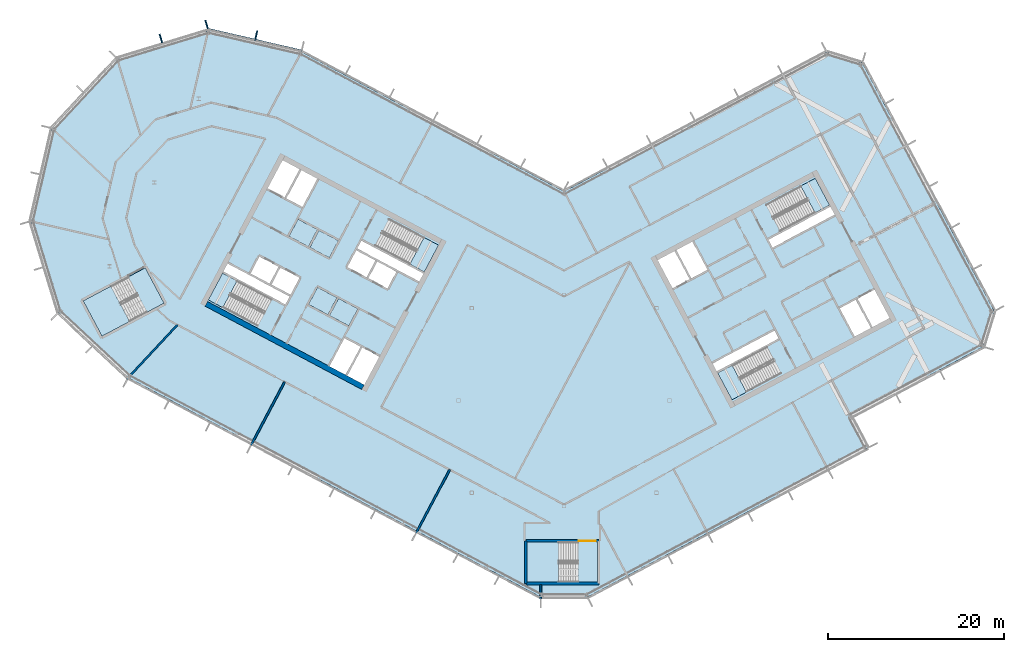
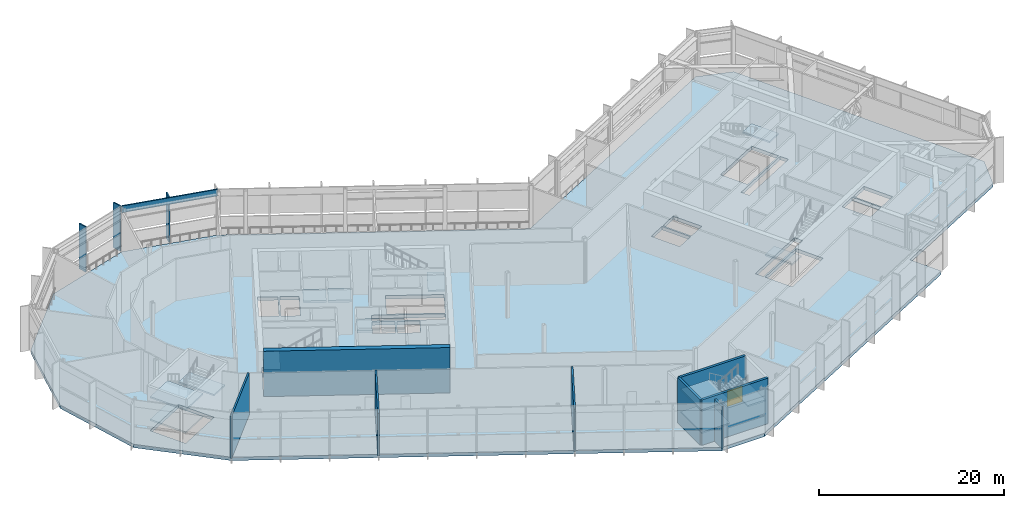
# One storey, part 13 of 33: 15 slabs, 8 walls, 4 members, 1 door, 1 opening, 8 elements without a shape of their own.
"""IFC4 building model written with IfcOpenShell, lengths in metres."""

import ifcopenshell
import ifcopenshell.guid

model = None  # the IFC model being written
_history = None  # IfcOwnerHistory: only IFC2X3 demands one
_inside = {}  # id of a spatial element -> (the spatial element, [elements in it])
_under = {}  # id of a project, library or spatial element -> (it, [spatial elements below it])
_declared = {}  # id of a project -> (the project, [libraries it declares])
_typed = {}  # id of a type object -> (the type object, [elements of that type])
_made_of = {}  # id of a material, layer set ... -> (it, [elements and type objects made of it])


def new_model(schema):
    """Start an empty IFC model of exactly this schema.

    Asked for "IFC4X3", IfcOpenShell would pick the latest addendum, in which some entities
    have other attributes; the version numbers below select the first issue.
    IFC2X3 requires an IfcOwnerHistory on every rooted entity: one is made here for all.
    """
    global model, _history
    if schema == "IFC4X3":
        model = ifcopenshell.file(schema_version=(4, 3, 0, 0))
    else:
        model = ifcopenshell.file(schema=schema)
    _inside.clear()
    _under.clear()
    _declared.clear()
    _typed.clear()
    _made_of.clear()
    _history = None
    if model.schema == "IFC2X3":
        org = make("IfcOrganization", Name="unknown")
        user = make(
            "IfcPersonAndOrganization",
            ThePerson=make("IfcPerson", FamilyName="unknown"),
            TheOrganization=org,
        )
        app = make(
            "IfcApplication",
            ApplicationDeveloper=org,
            Version="unknown",
            ApplicationFullName="unknown",
            ApplicationIdentifier="unknown",
        )
        _history = make(
            "IfcOwnerHistory",
            OwningUser=user,
            OwningApplication=app,
            ChangeAction="ADDED",
            CreationDate=0,
        )
    return model


def make(cls, **values):
    """One entity of the class cls with the attributes given. An attribute that is None is left unset."""
    return model.create_entity(
        cls, **{name: value for name, value in values.items() if value is not None}
    )


def rooted(cls, **values):
    """An entity with a GlobalId (a new one), such as an element, a storey or a relation."""
    return make(cls, GlobalId=ifcopenshell.guid.new(), OwnerHistory=_history, **values)


def si_unit(unit_type, name, prefix=None):
    """IfcSIUnit, for example si_unit("LENGTHUNIT", "METRE", prefix="MILLI")."""
    return make("IfcSIUnit", UnitType=unit_type, Prefix=prefix, Name=name)


def assignment(units):
    """IfcUnitAssignment: the units of a project."""
    return None if units is None else make("IfcUnitAssignment", Units=units)


def point(xyz):
    """IfcCartesianPoint."""
    return None if xyz is None else make("IfcCartesianPoint", Coordinates=xyz)


def direction(xyz):
    """IfcDirection."""
    return None if xyz is None else make("IfcDirection", DirectionRatios=xyz)


def frame(location, z_axis=None, x_axis=None):
    """IfcAxis2Placement3D, a coordinate frame: its origin and axes. An axis left out is left unset."""
    return make(
        "IfcAxis2Placement3D",
        Location=point(location),
        Axis=direction(z_axis),
        RefDirection=direction(x_axis),
    )


def frame_2d(location, x_axis=None):
    """IfcAxis2Placement2D, a coordinate frame in the plane: its origin and x axis."""
    return make(
        "IfcAxis2Placement2D", Location=point(location), RefDirection=direction(x_axis)
    )


def origin():
    """The frame at (0, 0, 0) with its axes left unset."""
    return frame((0.0, 0.0, 0.0))


def origin_2d():
    """The frame at (0, 0) in the plane with its x axis left unset."""
    return frame_2d((0.0, 0.0))


def place(relative_to, where):
    """IfcLocalPlacement: puts the frame where relative to a parent placement (None: the world)."""
    return make(
        "IfcLocalPlacement", PlacementRelTo=relative_to, RelativePlacement=where
    )


def context(
    kind, dimensions, precision=None, world=None, true_north=None, identifier=None
):
    """IfcGeometricRepresentationContext, for example the 3D "Model" context."""
    return make(
        "IfcGeometricRepresentationContext",
        ContextIdentifier=identifier,
        ContextType=kind,
        CoordinateSpaceDimension=dimensions,
        Precision=precision,
        WorldCoordinateSystem=world,
        TrueNorth=true_north,
    )


def subcontext(parent, identifier, kind, view, scale=None):
    """IfcGeometricRepresentationSubContext, for example "Body" below "Model"."""
    return make(
        "IfcGeometricRepresentationSubContext",
        ContextIdentifier=identifier,
        ContextType=kind,
        ParentContext=parent,
        TargetScale=scale,
        TargetView=view,
    )


def project(units=None, contexts=None):
    """IfcProject with its units and contexts."""
    return rooted(
        "IfcProject",
        Name="project",
        RepresentationContexts=contexts,
        UnitsInContext=assignment(units),
    )


def spatial(cls, under=None, at=None, **own):
    """A site, building, storey or space (cls), placed at a placement, below another one or the project."""
    s = rooted(cls, ObjectPlacement=at, **own)
    if under is not None:
        _under.setdefault(under.id(), (under, []))[1].append(s)
    return s


def polyline(points):
    """IfcPolyline through the points."""
    return make("IfcPolyline", Points=[point(p) for p in points])


def profile(cls, at=None, kind="AREA", **sizes):
    """A parametric profile (cls). Its sizes go by their IFC names, for example OverallWidth=200.0."""
    return make(cls, ProfileType=kind, Position=at, **sizes)


def rectangle(**sizes):
    """IfcRectangleProfileDef."""
    return profile("IfcRectangleProfileDef", **sizes)


def outline(outer, holes=None, kind="AREA"):
    """IfcArbitraryClosedProfileDef: a profile drawn as a closed curve; with holes, ...WithVoids."""
    if holes is None:
        return make("IfcArbitraryClosedProfileDef", ProfileType=kind, OuterCurve=outer)
    return make(
        "IfcArbitraryProfileDefWithVoids",
        ProfileType=kind,
        OuterCurve=outer,
        InnerCurves=holes,
    )


def extrude(swept, where, along, depth):
    """IfcExtrudedAreaSolid: the profile swept, set in the frame where, extruded along a direction by depth."""
    return make(
        "IfcExtrudedAreaSolid",
        SweptArea=swept,
        Position=where,
        ExtrudedDirection=direction(along),
        Depth=depth,
    )


def shape(context_of_items, identifier, shape_type, items):
    """IfcShapeRepresentation: the items that make up one representation, for example the "Body"."""
    return make(
        "IfcShapeRepresentation",
        ContextOfItems=context_of_items,
        RepresentationIdentifier=identifier,
        RepresentationType=shape_type,
        Items=items,
    )


def material(Name=None, Category=None):
    """IfcMaterial."""
    return make("IfcMaterial", Name=Name, Category=Category)


def layer(
    of_material, thickness, ventilated=None, Name=None, Category=None, Priority=None
):
    """IfcMaterialLayer: one layer of a wall or slab, of a material (None: an air gap)."""
    return make(
        "IfcMaterialLayer",
        Material=of_material,
        LayerThickness=thickness,
        IsVentilated=ventilated,
        Name=Name,
        Category=Category,
        Priority=Priority,
    )


def layer_set(layers, Name=None):
    """IfcMaterialLayerSet."""
    return make("IfcMaterialLayerSet", MaterialLayers=layers, LayerSetName=Name)


def material_profile(
    of_material, cross_section, Name=None, Category=None, Priority=None
):
    """IfcMaterialProfile: a cross section and its material."""
    return make(
        "IfcMaterialProfile",
        Name=Name,
        Material=of_material,
        Profile=cross_section,
        Priority=Priority,
        Category=Category,
    )


def profile_set(profiles, Name=None, composite=None):
    """IfcMaterialProfileSet."""
    return make(
        "IfcMaterialProfileSet",
        Name=Name,
        MaterialProfiles=profiles,
        CompositeProfile=composite,
    )


def made_of(thing, what):
    """Note that an element or type object is made of a material, layer set ...; save() writes the relation."""
    if what is not None:
        _made_of.setdefault(what.id(), (what, []))[1].append(thing)
    return thing


def type_object(cls, material=None, **own):
    """A type object (cls), such as IfcWallType, which elements share."""
    return made_of(rooted(cls, **own), material)


def element(
    cls,
    number,
    at=None,
    inside=None,
    cuts=None,
    type_object=None,
    material=None,
    context=None,
    identifier="Body",
    shape_type=None,
    held_by="IfcProductDefinitionShape",
    body=None,
    shapes=None,
    **own,
):
    """One element of the class cls, such as IfcWall. Its Tag is "e" and its number.

    at: its placement. inside: the storey or other place that contains it. cuts: it is an
    opening in that element (IfcRelVoidsElement). A single representation is given by context,
    identifier, shape_type and body (its items); several are given by shapes. held_by: the class
    of the entity that holds the representations. save() writes the other relations.
    """
    e = rooted(cls, Tag="e%d" % number, ObjectPlacement=at, **own)
    if body is not None:
        shapes = [shape(context, identifier, shape_type, body)]
    if shapes is not None:
        e.Representation = make(held_by, Representations=shapes)
    if inside is not None:
        _inside.setdefault(inside.id(), (inside, []))[1].append(e)
    if cuts is not None:
        rooted(
            "IfcRelVoidsElement", RelatingBuildingElement=cuts, RelatedOpeningElement=e
        )
    if type_object is not None:
        _typed.setdefault(type_object.id(), (type_object, []))[1].append(e)
    return made_of(e, material)


def fill(opening, filler):
    """IfcRelFillsElement: the door or window that sits in an opening."""
    return rooted(
        "IfcRelFillsElement",
        RelatingOpeningElement=opening,
        RelatedBuildingElement=filler,
    )


def aggregate(whole, parts):
    """IfcRelAggregates: a whole, such as a stair, and the parts it consists of."""
    return rooted("IfcRelAggregates", RelatingObject=whole, RelatedObjects=parts)


def save(model, path):
    """Write the relations noted so far, then the file.

    IfcRelAggregates (storeys below a building ...), IfcRelContainedInSpatialStructure (elements
    in a storey), IfcRelDefinesByType, IfcRelAssociatesMaterial and IfcRelDeclares: one each for
    every whole, place, type object, material and project.
    """
    for whole, parts in _under.values():
        aggregate(whole, parts)
    for where, things in _inside.values():
        rooted(
            "IfcRelContainedInSpatialStructure",
            RelatedElements=things,
            RelatingStructure=where,
        )
    for kind, things in _typed.values():
        rooted("IfcRelDefinesByType", RelatedObjects=things, RelatingType=kind)
    for what, things in _made_of.values():
        rooted("IfcRelAssociatesMaterial", RelatedObjects=things, RelatingMaterial=what)
    for by, libraries in _declared.values():
        rooted("IfcRelDeclares", RelatingContext=by, RelatedDefinitions=libraries)
    model.write(path)


model = new_model("IFC4")

# Units and contexts
model_context = context("Model", 3, precision=1e-05, world=origin(), true_north=direction((0.0, 1.0)))
body_context = subcontext(model_context, "Body", "Model", "MODEL_VIEW")
ifc_project = project(units=[si_unit("LENGTHUNIT", "METRE"), si_unit("AREAUNIT", "SQUARE_METRE"), si_unit("VOLUMEUNIT", "CUBIC_METRE"), si_unit("PLANEANGLEUNIT", "RADIAN"), si_unit("MASSUNIT", "GRAM", prefix="KILO")], contexts=[model_context])

# Site, building, storey
site_placement = place(None, origin())
site = spatial("IfcSite", under=ifc_project, at=site_placement, CompositionType="ELEMENT")
building_placement = place(site_placement, origin())
building = spatial("IfcBuilding", under=site, at=building_placement, Name="Cormorant Relay Tower", CompositionType="ELEMENT")
storey_placement = place(building_placement, frame((0.0, 0.0, 252.0)))
storey = spatial("IfcBuildingStorey", under=building, at=storey_placement, Name="L56", CompositionType="ELEMENT", Elevation=252.0)

# Curtain wall, member
ifc_material_1 = material(Name="Aluminium 6063-T6 anodised bronze", Category="aluminium")
ifc_layer_1 = layer(ifc_material_1, 0.199951171875)
ifc_layer_set_1 = layer_set([ifc_layer_1], Name="CW4 band louvre wall")
curtain_wall_type = type_object("IfcCurtainWallType", Name="CW4 band louvre wall", PredefinedType="NOTDEFINED", material=ifc_layer_set_1)
curtain_wall_1_placement = place(storey_placement, origin())
curtain_wall_1 = element("IfcCurtainWall", 1, at=curtain_wall_1_placement, inside=storey, type_object=curtain_wall_type, Name="CW4 curtain wall 10", PredefinedType="NOTDEFINED")
ifc_material_2 = material(Name="Aluminium 6063-T6 anodised bronze", Category="aluminium")
ifc_material_profile_1 = material_profile(ifc_material_2, rectangle(XDim=0.14990234375, YDim=1.0, at=origin_2d()), Name="AL 150x1000")
ifc_profile_set_1 = profile_set([ifc_material_profile_1], Name="Aluminium 6063-T6 anodised bronze")
member_type_1 = type_object("IfcMemberType", Name="CW4 bronze fin mullion 150 x 1000", PredefinedType="MULLION", material=ifc_profile_set_1)
member_1_placement = place(storey_placement, frame((-35.01220703125, 41.57275390625, 0.0), z_axis=(0.0, 0.0, 1.0), x_axis=(-0.974370064785, 0.224951054344, 0.0)))
member_1 = element("IfcMember", 2, at=member_1_placement, type_object=member_type_1, Name="CW4 fin 10.2", PredefinedType="MULLION", context=body_context, shape_type="SweptSolid", body=[
    extrude(rectangle(XDim=0.14990234375, YDim=1.0, at=origin_2d()), origin(), (0.0, 0.0, 1.0), 6.0),
])

# Curtain wall, members
curtain_wall_2_placement = place(storey_placement, origin())
curtain_wall_2 = element("IfcCurtainWall", 3, at=curtain_wall_2_placement, inside=storey, type_object=curtain_wall_type, Name="CW4 curtain wall 11", PredefinedType="NOTDEFINED")
member_2_placement = place(storey_placement, frame((-40.670166015625, 42.78271484375, 0.0), z_axis=(0.0, 0.0, 1.0), x_axis=(-0.956304755963, -0.292371704723, 0.0)))
member_2 = element("IfcMember", 4, at=member_2_placement, type_object=member_type_1, Name="CW4 fin 11.1", PredefinedType="MULLION", context=body_context, shape_type="SweptSolid", body=[
    extrude(rectangle(XDim=0.14990234375, YDim=1.0, at=origin_2d()), origin(), (0.0, 0.0, 1.0), 6.0),
])
member_3_placement = place(storey_placement, frame((-45.867919921875, 41.193603515625, 0.0), z_axis=(0.0, 0.0, 1.0), x_axis=(-0.956304755963, -0.292371704723, 0.0)))
member_3 = element("IfcMember", 5, at=member_3_placement, type_object=member_type_1, Name="CW4 fin 11.2", PredefinedType="MULLION", context=body_context, shape_type="SweptSolid", body=[
    extrude(rectangle(XDim=0.14990234375, YDim=1.0, at=origin_2d()), origin(), (0.0, 0.0, 1.0), 6.0),
])
aggregate(curtain_wall_2, [member_2, member_3])

# Member
ifc_material_3 = material(Name="Aluminium 6063-T6 anodised bronze", Category="aluminium")
ifc_material_profile_2 = material_profile(ifc_material_3, rectangle(XDim=0.159912109375, YDim=0.89990234375, at=origin_2d()), Name="AL 160x900")
ifc_profile_set_2 = profile_set([ifc_material_profile_2], Name="Aluminium 6063-T6 anodised bronze")
member_type_2 = type_object("IfcMemberType", Name="CW4 bronze transom 160 x 900", PredefinedType="USERDEFINED", material=ifc_profile_set_2)
member_4_placement = place(storey_placement, frame((-29.8466796875, 39.784912109375, 5.550048828125), z_axis=(-0.974365070969, 0.224972683844, 0.0), x_axis=(-0.224972683844, -0.974365070969, 0.0)))
member_4 = element("IfcMember", 6, at=member_4_placement, type_object=member_type_2, Name="CW4 transom 10", ObjectType="TRANSOM", PredefinedType="USERDEFINED", context=body_context, shape_type="SweptSolid", body=[
    extrude(rectangle(XDim=0.159912109375, YDim=0.89990234375, at=origin_2d()), origin(), (0.0, 0.0, 1.0), 10.870361328125),
])

aggregate(curtain_wall_1, [member_1, member_4])

# Stair, slab
ifc_material_4 = material(Name="Concrete 40 MPa", Category="concrete")
stair_type_1 = type_object("IfcStairType", Name="Exit stair 1500", PredefinedType="HALF_TURN_STAIR", material=ifc_material_4)
stair_1_placement = place(storey_placement, origin())
stair_1 = element("IfcStair", 7, at=stair_1_placement, inside=storey, type_object=stair_type_1, Name="L56 Stair", PredefinedType="HALF_TURN_STAIR")
ifc_material_5 = material(Name="Concrete 40 MPa", Category="concrete")
ifc_layer_2 = layer(ifc_material_5, 0.199951171875)
ifc_layer_set_2 = layer_set([ifc_layer_2], Name="Exit stair landing 200")
slab_type_1 = type_object("IfcSlabType", Name="Exit stair landing 200", PredefinedType="LANDING", material=ifc_layer_set_2)
slab_1_placement = place(storey_placement, frame((0.0, 0.0, 2.800048828125)))
slab_1 = element("IfcSlab", 8, at=slab_1_placement, type_object=slab_type_1, Name="A1 landing 1", PredefinedType="LANDING", context=body_context, shape_type="SweptSolid", body=[
    extrude(outline(polyline([(-17.546142578125, 15.501953125), (-15.89501953125, 14.6240234375), (-14.275390625, 17.670166015625), (-15.926513671875, 18.548095703125), (-17.546142578125, 15.501953125)])), origin(), (0.0, 0.0, 1.0), 0.199951171875),
])
aggregate(stair_1, [slab_1])

stair_2_placement = place(storey_placement, origin())
stair_2 = element("IfcStair", 9, at=stair_2_placement, inside=storey, type_object=stair_type_1, Name="L56 Stair", PredefinedType="HALF_TURN_STAIR")
slab_2_placement = place(storey_placement, frame((0.0, 0.0, 2.800048828125)))
slab_2 = element("IfcSlab", 10, at=slab_2_placement, type_object=slab_type_1, Name="A2 landing 1", PredefinedType="LANDING", context=body_context, shape_type="SweptSolid", body=[
    extrude(outline(polyline([(-37.196533203125, 13.605224609375), (-38.84765625, 14.483154296875), (-40.467529296875, 11.43701171875), (-38.81640625, 10.55908203125), (-37.196533203125, 13.605224609375)])), origin(), (0.0, 0.0, 1.0), 0.199951171875),
])
aggregate(stair_2, [slab_2])

stair_3_placement = place(storey_placement, origin())
stair_3 = element("IfcStair", 11, at=stair_3_placement, inside=storey, type_object=stair_type_1, Name="L56 Stair", PredefinedType="HALF_TURN_STAIR")
slab_3_placement = place(storey_placement, frame((0.0, 0.0, 2.800048828125)))
slab_3 = element("IfcSlab", 12, at=slab_3_placement, type_object=slab_type_1, Name="B1 landing 1", PredefinedType="LANDING", context=body_context, shape_type="SweptSolid", body=[
    extrude(outline(polyline([(19.131591796875, 4.0), (17.48046875, 3.1220703125), (19.10009765625, 0.075927734375), (20.751220703125, 0.953857421875), (19.131591796875, 4.0)])), origin(), (0.0, 0.0, 1.0), 0.199951171875),
])
aggregate(stair_3, [slab_3])

stair_4_placement = place(storey_placement, origin())
stair_4 = element("IfcStair", 13, at=stair_4_placement, inside=storey, type_object=stair_type_1, Name="L56 Stair", PredefinedType="HALF_TURN_STAIR")
slab_4_placement = place(storey_placement, frame((0.0, 0.0, 2.800048828125)))
slab_4 = element("IfcSlab", 14, at=slab_4_placement, type_object=slab_type_1, Name="B2 landing 1", PredefinedType="LANDING", context=body_context, shape_type="SweptSolid", body=[
    extrude(outline(polyline([(28.547607421875, 21.3515625), (30.19873046875, 22.2294921875), (28.5791015625, 25.275634765625), (26.927978515625, 24.397705078125), (28.547607421875, 21.3515625)])), origin(), (0.0, 0.0, 1.0), 0.199951171875),
])
aggregate(stair_4, [slab_4])

# Stair, slabs
ifc_material_6 = material(Name="Concrete 40 MPa", Category="concrete")
stair_type_2 = type_object("IfcStairType", Name="Remote exit stair 2200", PredefinedType="HALF_TURN_STAIR", material=ifc_material_6)
stair_5_placement = place(storey_placement, origin())
stair_5 = element("IfcStair", 15, at=stair_5_placement, inside=storey, type_object=stair_type_2, Name="L56 Stair", PredefinedType="HALF_TURN_STAIR")
slab_5_placement = place(storey_placement, frame((0.0, 0.0, 1.300048828125)))
slab_5 = element("IfcSlab", 16, at=slab_5_placement, type_object=slab_type_1, Name="RK1 landing 1", PredefinedType="LANDING", context=body_context, shape_type="SweptSolid", body=[
    extrude(outline(polyline([(-0.639892578125, -16.125), (-4.199951171875, -16.125), (-4.199951171875, -20.675048828125), (-0.639892578125, -20.675048828125), (-0.639892578125, -16.125)])), origin(), (0.0, 0.0, 1.0), 0.199951171875),
])
slab_6_placement = place(storey_placement, frame((0.0, 0.0, 2.800048828125)))
slab_6 = element("IfcSlab", 17, at=slab_6_placement, type_object=slab_type_1, Name="RK1 landing 2", PredefinedType="LANDING", context=body_context, shape_type="SweptSolid", body=[
    extrude(outline(polyline([(3.800048828125, -16.125), (1.60009765625, -16.125), (1.60009765625, -20.675048828125), (3.800048828125, -20.675048828125), (3.800048828125, -16.125)])), origin(), (0.0, 0.0, 1.0), 0.199951171875),
])
slab_7_placement = place(storey_placement, frame((0.0, 0.0, 4.300048828125)))
slab_7 = element("IfcSlab", 18, at=slab_7_placement, type_object=slab_type_1, Name="RK1 landing 3", PredefinedType="LANDING", context=body_context, shape_type="SweptSolid", body=[
    extrude(outline(polyline([(-0.639892578125, -16.125), (-4.199951171875, -16.125), (-4.199951171875, -20.675048828125), (-0.639892578125, -20.675048828125), (-0.639892578125, -16.125)])), origin(), (0.0, 0.0, 1.0), 0.199951171875),
])
aggregate(stair_5, [slab_5, slab_6, slab_7])

stair_6_placement = place(storey_placement, origin())
stair_6 = element("IfcStair", 19, at=stair_6_placement, inside=storey, type_object=stair_type_2, Name="L56 Stair", PredefinedType="HALF_TURN_STAIR")
slab_8_placement = place(storey_placement, frame((0.0, 0.0, 1.300048828125)))
slab_8 = element("IfcSlab", 20, at=slab_8_placement, type_object=slab_type_1, Name="RP1 landing 1", PredefinedType="LANDING", context=body_context, shape_type="SweptSolid", body=[
    extrude(outline(polyline([(-51.556640625, 13.002197265625), (-54.699951171875, 11.330810546875), (-52.563720703125, 7.3134765625), (-49.42041015625, 8.984619140625), (-51.556640625, 13.002197265625)])), origin(), (0.0, 0.0, 1.0), 0.199951171875),
])
slab_9_placement = place(storey_placement, frame((0.0, 0.0, 2.800048828125)))
slab_9 = element("IfcSlab", 21, at=slab_9_placement, type_object=slab_type_1, Name="RP1 landing 2", PredefinedType="LANDING", context=body_context, shape_type="SweptSolid", body=[
    extrude(outline(polyline([(-47.63623046875, 15.086669921875), (-49.578857421875, 14.0537109375), (-47.442626953125, 10.036376953125), (-45.500244140625, 11.069091796875), (-47.63623046875, 15.086669921875)])), origin(), (0.0, 0.0, 1.0), 0.199951171875),
])
slab_10_placement = place(storey_placement, frame((0.0, 0.0, 4.300048828125)))
slab_10 = element("IfcSlab", 22, at=slab_10_placement, type_object=slab_type_1, Name="RP1 landing 3", PredefinedType="LANDING", context=body_context, shape_type="SweptSolid", body=[
    extrude(outline(polyline([(-51.556640625, 13.002197265625), (-54.699951171875, 11.330810546875), (-52.563720703125, 7.3134765625), (-49.42041015625, 8.984619140625), (-51.556640625, 13.002197265625)])), origin(), (0.0, 0.0, 1.0), 0.199951171875),
])
aggregate(stair_6, [slab_8, slab_9, slab_10])

# Slabs
ifc_material_7 = material(Name="Concrete 40 MPa", Category="concrete")
ifc_layer_3 = layer(ifc_material_7, 0.449951171875)
ifc_layer_set_3 = layer_set([ifc_layer_3], Name="Flat plate 450")
slab_type_2 = type_object("IfcSlabType", Name="Flat plate 450", PredefinedType="FLOOR", material=ifc_layer_set_3)
slab_11_placement = place(storey_placement, frame((0.0, 0.0, -0.449951171875)))
element("IfcSlab", 23, at=slab_11_placement, inside=storey, type_object=slab_type_2, Name="Floor slab L56", PredefinedType="FLOOR", context=body_context, shape_type="SweptSolid", body=[
    extrude(outline(polyline([(-57.541748046875, 9.997802734375), (-60.7197265625, 20.393310546875), (-58.2744140625, 30.985107421875), (-50.86083984375, 38.935302734375), (-40.465576171875, 42.11328125), (-29.873779296875, 39.668212890625), (0.0, 23.783935546875), (29.873779296875, 39.668212890625), (33.930908203125, 38.427734375), (48.9541015625, 10.17333984375), (47.713623046875, 6.1162109375), (32.70361328125, -1.864990234375), (34.581298828125, -5.396728515625), (2.648681640625, -22.37548828125), (-2.648681640625, -22.37548828125), (-49.591552734375, 2.584228515625), (-57.541748046875, 9.997802734375)]), holes=[polyline([(-22.95458984375, 6.03271484375), (-24.668212890625, 2.81005859375), (-22.725830078125, 1.777099609375), (-21.01220703125, 5.0), (-23.04296875, 6.07958984375), (-22.95458984375, 6.03271484375)]), polyline([(-24.985595703125, 7.112548828125), (-26.69921875, 3.889892578125), (-24.844970703125, 2.90380859375), (-23.13134765625, 6.126708984375), (-23.04296875, 6.07958984375), (-24.985595703125, 7.112548828125)]), polyline([(-54.69970703125, 11.330810546875), (-52.563720703125, 7.3134765625), (-47.442626953125, 10.036376953125), (-49.57861328125, 14.0537109375), (-54.69970703125, 11.330810546875)]), polyline([(-33.240966796875, 11.502197265625), (-38.847900390625, 14.483154296875), (-40.46728515625, 11.43701171875), (-34.860595703125, 8.455810546875), (-33.240966796875, 11.502197265625)]), polyline([(-38.260986328125, 15.5869140625), (-38.75390625, 14.659912109375), (-31.690185546875, 10.904052734375), (-31.197265625, 11.8310546875), (-38.260986328125, 15.5869140625)]), polyline([(-31.103515625, 12.0078125), (-30.070556640625, 13.9501953125), (-32.278076171875, 15.123779296875), (-33.310791015625, 13.181396484375), (-31.103515625, 12.0078125)]), polyline([(-22.2880859375, 13.889404296875), (-20.080810546875, 12.7158203125), (-19.048095703125, 14.658203125), (-21.25537109375, 15.831787109375), (-22.2880859375, 13.889404296875)]), polyline([(-34.661865234375, 16.3916015625), (-35.69482421875, 14.448974609375), (-33.4873046875, 13.275390625), (-32.45458984375, 15.2177734375), (-34.661865234375, 16.3916015625)]), polyline([(-22.46484375, 13.9833984375), (-21.431884765625, 15.92578125), (-23.639404296875, 17.099609375), (-24.672119140625, 15.156982421875), (-22.46484375, 13.9833984375)]), polyline([(-31.611572265625, 22.980712890625), (-29.75732421875, 21.99462890625), (-28.043701171875, 25.217529296875), (-29.89794921875, 26.203369140625), (-31.611572265625, 22.980712890625)]), polyline([(-32.01708984375, 27.330078125), (-33.73046875, 24.107421875), (-31.7880859375, 23.074462890625), (-30.074462890625, 26.29736328125), (-32.01708984375, 27.330078125)]), polyline([(-4.199951171875, -16.125), (-4.199951171875, -20.675048828125), (1.60009765625, -20.675048828125), (1.60009765625, -16.125), (-4.199951171875, -16.125)]), polyline([(17.48046875, 3.1220703125), (19.10009765625, 0.07568359375), (24.706787109375, 3.056884765625), (23.087158203125, 6.10302734375), (17.48046875, 3.1220703125)]), polyline([(17.386474609375, 3.298583984375), (24.4501953125, 7.054443359375), (23.957275390625, 7.9814453125), (16.8935546875, 4.2255859375), (17.386474609375, 3.298583984375)]), polyline([(33.197021484375, 11.478515625), (31.3427734375, 10.49267578125), (33.056396484375, 7.27001953125), (34.910400390625, 8.255859375), (33.197021484375, 11.478515625)]), polyline([(33.37353515625, 11.572509765625), (35.087158203125, 8.349609375), (37.029541015625, 9.382568359375), (35.31591796875, 12.605224609375), (33.37353515625, 11.572509765625)]), polyline([(14.3056640625, 13.779052734375), (12.592041015625, 17.001708984375), (10.649658203125, 15.968994140625), (12.36328125, 12.74609375), (14.39404296875, 13.825927734375), (14.3056640625, 13.779052734375)]), polyline([(16.33642578125, 14.85888671875), (14.622802734375, 18.08154296875), (12.768798828125, 17.095703125), (14.482421875, 13.872802734375), (14.39404296875, 13.825927734375), (16.33642578125, 14.85888671875)]), polyline([(-16.481689453125, 13.520263671875), (-15.989013671875, 14.447509765625), (-23.052490234375, 18.203125), (-23.54541015625, 17.276123046875), (-16.481689453125, 13.520263671875)]), polyline([(-15.89501953125, 14.6240234375), (-14.275390625, 17.670166015625), (-19.882080078125, 20.6513671875), (-21.501708984375, 17.605224609375), (-15.89501953125, 14.6240234375)]), polyline([(30.78564453125, 21.125732421875), (30.29248046875, 22.052978515625), (23.22900390625, 18.297119140625), (23.721923828125, 17.3701171875), (30.78564453125, 21.125732421875)]), polyline([(24.592041015625, 19.248291015625), (30.19873046875, 22.2294921875), (28.5791015625, 25.275634765625), (22.972412109375, 22.29443359375), (24.592041015625, 19.248291015625)])]), origin(), (0.0, 0.0, 1.0), 0.449951171875),
])
ifc_material_8 = material(Name="Concrete 50 MPa", Category="concrete")
ifc_layer_4 = layer(ifc_material_8, 0.300048828125)
ifc_layer_set_4 = layer_set([ifc_layer_4], Name="Lift pit slab 300")
slab_type_3 = type_object("IfcSlabType", Name="Lift pit slab 300", PredefinedType="BASESLAB", material=ifc_layer_set_4)
slab_12_placement = place(storey_placement, frame((0.0, 0.0, 4.199951171875)))
element("IfcSlab", 24, at=slab_12_placement, inside=storey, type_object=slab_type_3, Name="Lift HR1 pit slab", PredefinedType="BASESLAB", context=body_context, shape_type="SweptSolid", body=[
    extrude(outline(polyline([(-26.688720703125, 9.660400390625), (-25.656005859375, 11.602783203125), (-23.448486328125, 10.42919921875), (-24.481201171875, 8.48681640625), (-26.688720703125, 9.660400390625)])), origin(), (0.0, 0.0, 1.0), 0.300048828125),
])
slab_13_placement = place(storey_placement, frame((0.0, 0.0, 4.199951171875)))
element("IfcSlab", 25, at=slab_13_placement, inside=storey, type_object=slab_type_3, Name="Lift HR2 pit slab", PredefinedType="BASESLAB", context=body_context, shape_type="SweptSolid", body=[
    extrude(outline(polyline([(-25.83251953125, 11.69677734375), (-26.865234375, 9.75439453125), (-29.07275390625, 10.927978515625), (-28.039794921875, 12.870361328125), (-25.83251953125, 11.69677734375)])), origin(), (0.0, 0.0, 1.0), 0.300048828125),
])
slab_14_placement = place(storey_placement, frame((0.0, 0.0, 4.199951171875)))
element("IfcSlab", 26, at=slab_14_placement, inside=storey, type_object=slab_type_3, Name="Lift HR3 pit slab", PredefinedType="BASESLAB", context=body_context, shape_type="SweptSolid", body=[
    extrude(outline(polyline([(-25.670166015625, 18.17919921875), (-26.702880859375, 16.23681640625), (-28.910400390625, 17.410400390625), (-27.87744140625, 19.35302734375), (-25.670166015625, 18.17919921875)])), origin(), (0.0, 0.0, 1.0), 0.300048828125),
])
slab_15_placement = place(storey_placement, frame((0.0, 0.0, 4.199951171875)))
element("IfcSlab", 27, at=slab_15_placement, inside=storey, type_object=slab_type_3, Name="Lift HR4 pit slab", PredefinedType="BASESLAB", context=body_context, shape_type="SweptSolid", body=[
    extrude(outline(polyline([(-28.053955078125, 19.447021484375), (-29.0869140625, 17.50439453125), (-31.294189453125, 18.677978515625), (-30.261474609375, 20.62060546875), (-28.053955078125, 19.447021484375)])), origin(), (0.0, 0.0, 1.0), 0.300048828125),
])

# Walls
ifc_material_9 = material(Name="Concrete 50 MPa", Category="concrete")
ifc_layer_5 = layer(ifc_material_9, 0.60009765625)
ifc_layer_set_5 = layer_set([ifc_layer_5], Name="Core wall 600")
wall_type_1 = type_object("IfcWallType", Name="Core wall 600", PredefinedType="SHEAR", material=ifc_layer_set_5)
wall_1_placement = place(storey_placement, frame((-22.86669921875, 1.51220703125, 0.0), z_axis=(0.0, 0.0, 1.0), x_axis=(-0.88294509198, 0.469476266226, 0.0)))
element("IfcWall", 28, at=wall_1_placement, inside=storey, type_object=wall_type_1, Name="L56 core A wall", PredefinedType="SHEAR", context=body_context, shape_type="SweptSolid", body=[
    extrude(rectangle(XDim=20.199951171875, YDim=0.60009765625, at=frame_2d((10.10009765625, 0.0))), origin(), (0.0, 0.0, 1.0), 6.0),
])
ifc_material_10 = material(Name="Fire-rated gypsum board partition")
ifc_layer_6 = layer(ifc_material_10, 0.199951171875)
ifc_layer_set_6 = layer_set([ifc_layer_6], Name="Fire-rated gypsum partition 200")
wall_type_2 = type_object("IfcWallType", Name="Fire-rated gypsum partition 200", PredefinedType="PARTITIONING", material=ifc_layer_set_6)
wall_2_placement = place(storey_placement, frame((-49.73291015625, 2.43310546875, 0.0), z_axis=(0.0, 0.0, 1.0), x_axis=(0.682025422231, 0.731328464802, 0.0)))
element("IfcWall", 29, at=wall_2_placement, inside=storey, type_object=wall_type_2, Name="wall/L56/part/11", PredefinedType="PARTITIONING", context=body_context, shape_type="SweptSolid", body=[
    extrude(rectangle(XDim=8.43798828125, YDim=0.199951171875, at=frame_2d((4.218994140625, 0.0))), origin(), (0.0, 0.0, 1.0), 5.550048828125),
])
for number, where, z_axis, x_axis, name in (
    (30, (-31.77587890625, 2.115966796875, 0.0), (0.0, 0.0, 1.0), (-0.469561804861, -0.882899604381, 0.0), "wall/L56/part/12"),
    (31, (-12.9990234375, -7.867919921875, 0.0), (0.0, 0.0, 1.0), (-0.46953845473, -0.882912022531, 0.0), "wall/L56/part/28"),
):
    element("IfcWall", number, at=place(storey_placement, frame(where, z_axis=z_axis, x_axis=x_axis)), inside=storey, type_object=wall_type_2, Name=name, PredefinedType="PARTITIONING", context=body_context, shape_type="SweptSolid", body=[
        extrude(rectangle(XDim=8.150390625, YDim=0.199951171875, at=frame_2d((4.0751953125, 0.0))), origin(), (0.0, 0.0, 1.0), 5.550048828125),
    ])
wall_3_placement = place(storey_placement, frame((-2.64892578125, -20.9599609375, 0.0), z_axis=(0.0, 0.0, 1.0), x_axis=(0.0, -1.0, 0.0)))
element("IfcWall", 32, at=wall_3_placement, inside=storey, type_object=wall_type_2, Name="wall/L56/part/47", PredefinedType="PARTITIONING", context=body_context, shape_type="SweptSolid", body=[
    extrude(rectangle(XDim=1.6220703125, YDim=0.199951171875, at=frame_2d((0.81103515625, 0.0))), origin(), (0.0, 0.0, 1.0), 5.550048828125),
])
ifc_material_11 = material(Name="Concrete 50 MPa", Category="concrete")
ifc_layer_7 = layer(ifc_material_11, 0.300048828125)
ifc_layer_set_7 = layer_set([ifc_layer_7], Name="Remote stair wall 300")
wall_type_3 = type_object("IfcWallType", Name="Remote stair wall 300", PredefinedType="SHEAR", material=ifc_layer_set_7)
wall_4_placement = place(storey_placement, frame((3.949951171875, -20.824951171875, 0.0), z_axis=(0.0, 0.0, 1.0), x_axis=(-1.0, 0.0, 0.0)))
element("IfcWall", 33, at=wall_4_placement, inside=storey, type_object=wall_type_3, Name="L56 exit stair RK1 wall", PredefinedType="SHEAR", context=body_context, shape_type="SweptSolid", body=[
    extrude(rectangle(XDim=8.300048828125, YDim=0.300048828125, at=frame_2d((4.14990234375, 0.0))), origin(), (0.0, 0.0, 1.0), 6.0),
])
wall_5_placement = place(storey_placement, frame((-4.35009765625, -20.824951171875, 0.0), z_axis=(0.0, 0.0, 1.0), x_axis=(0.0, 1.0, 0.0)))
element("IfcWall", 34, at=wall_5_placement, inside=storey, type_object=wall_type_3, Name="L56 exit stair RK1 wall", PredefinedType="SHEAR", context=body_context, shape_type="SweptSolid", body=[
    extrude(rectangle(XDim=4.849853515625, YDim=0.300048828125, at=frame_2d((2.4248046875, 0.0))), origin(), (0.0, 0.0, 1.0), 6.0),
])

# Wall, opening, door
wall_6_placement = place(storey_placement, frame((-4.35009765625, -15.97509765625, 0.0), z_axis=(0.0, 0.0, 1.0), x_axis=(1.0, 0.0, 0.0)))
wall_6 = element("IfcWall", 35, at=wall_6_placement, inside=storey, type_object=wall_type_3, Name="L56 exit stair RK1 wall", PredefinedType="SHEAR", context=body_context, shape_type="SweptSolid", body=[
    extrude(rectangle(XDim=8.300048828125, YDim=0.300048828125, at=frame_2d((4.14990234375, 0.0))), origin(), (0.0, 0.0, 1.0), 6.0),
])
opening_placement = place(wall_6_placement, frame((6.050048828125, 0.0, 0.0)))
opening = element("IfcOpeningElement", 36, at=opening_placement, cuts=wall_6, Name="Opening CDE-010", PredefinedType="OPENING", context=body_context, shape_type="SweptSolid", body=[
    extrude(rectangle(XDim=1.89990234375, YDim=2.10009765625, at=frame_2d((0.949951171875, 1.050048828125))), frame((0.0, 0.159912109375, 0.0), z_axis=(0.0, -1.0, 0.0), x_axis=(1.0, 0.0, 0.0)), (0.0, 0.0, 1.0), 0.320068359375),
])
ifc_material_12 = material(Name="Steel fire door", Category="steel")
door_type = type_object("IfcDoorType", Name="Remote stair door 1900x2100", OperationType="DOUBLE_DOOR_SINGLE_SWING", PredefinedType="DOOR", material=ifc_material_12)
door_placement = place(opening_placement, frame((1.89990234375, 0.0, 0.0), z_axis=(0.0, 0.0, 1.0), x_axis=(-1.0, 0.0, 0.0)))
door = element("IfcDoor", 37, at=door_placement, inside=storey, type_object=door_type, Name="Exit stair RK1 door", OperationType="DOUBLE_DOOR_SINGLE_SWING", OverallHeight=2.10009765625, OverallWidth=1.89990234375, PredefinedType="DOOR", context=body_context, shape_type="SweptSolid", body=[
    extrude(rectangle(XDim=1.89990234375, YDim=2.10009765625, at=frame_2d((0.949951171875, 1.050048828125))), frame((0.0, 0.02490234375, 0.0), z_axis=(0.0, -1.0, 0.0), x_axis=(1.0, 0.0, 0.0)), (0.0, 0.0, 1.0), 0.050048828125),
])
fill(opening, door)

save(model, "model.ifc")
